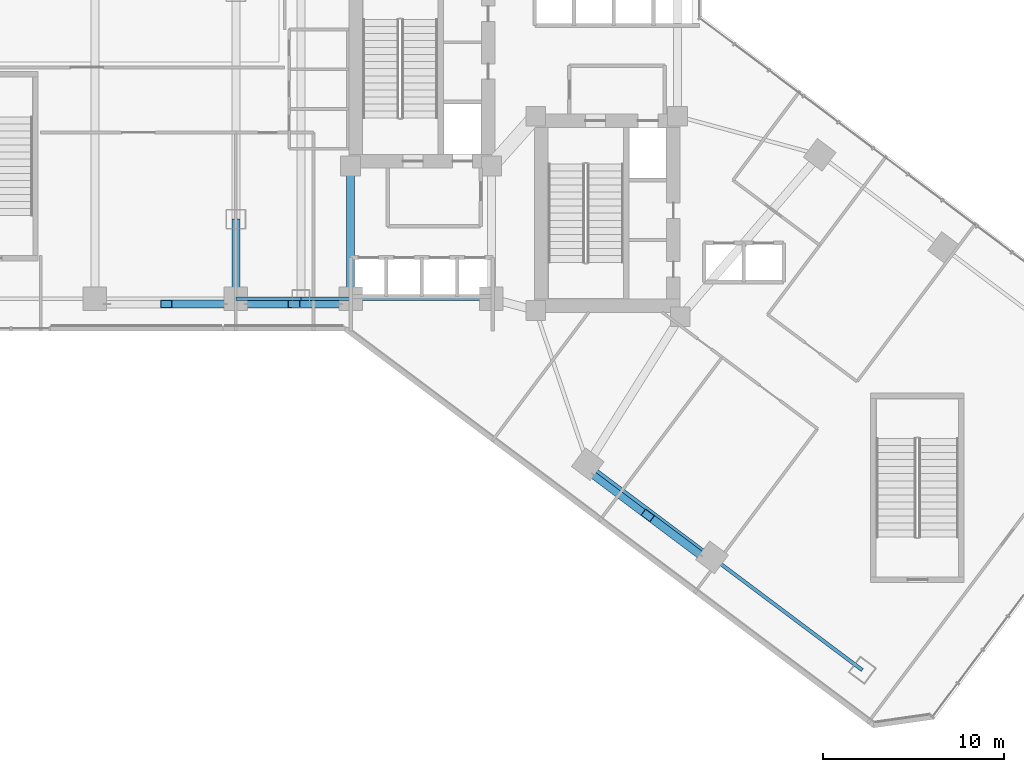
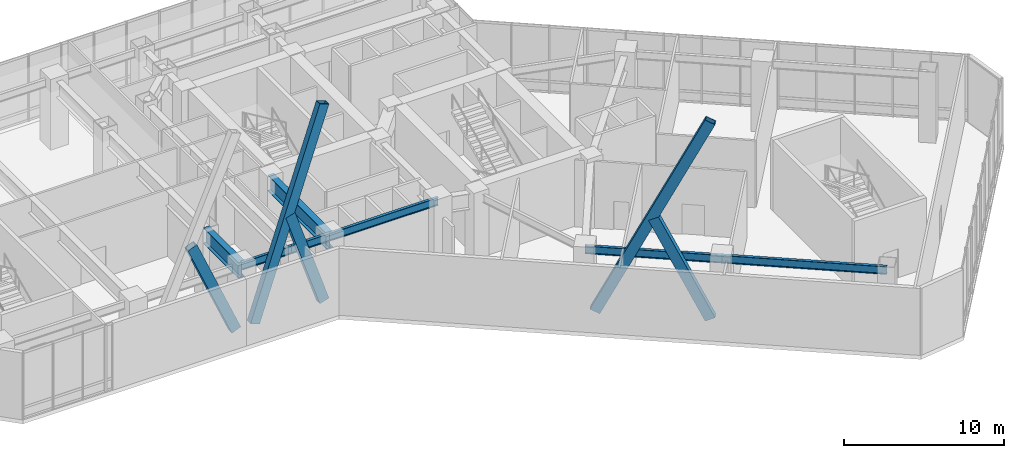
# One storey, part 4 of 35: 7 beams, 5 members.
"""IFC4 building model written with IfcOpenShell, lengths in metres."""

import ifcopenshell
import ifcopenshell.guid

model = None  # the IFC model being written
_history = None  # IfcOwnerHistory: only IFC2X3 demands one
_inside = {}  # id of a spatial element -> (the spatial element, [elements in it])
_under = {}  # id of a project, library or spatial element -> (it, [spatial elements below it])
_declared = {}  # id of a project -> (the project, [libraries it declares])
_typed = {}  # id of a type object -> (the type object, [elements of that type])
_made_of = {}  # id of a material, layer set ... -> (it, [elements and type objects made of it])


def new_model(schema):
    """Start an empty IFC model of exactly this schema.

    Asked for "IFC4X3", IfcOpenShell would pick the latest addendum, in which some entities
    have other attributes; the version numbers below select the first issue.
    IFC2X3 requires an IfcOwnerHistory on every rooted entity: one is made here for all.
    """
    global model, _history
    if schema == "IFC4X3":
        model = ifcopenshell.file(schema_version=(4, 3, 0, 0))
    else:
        model = ifcopenshell.file(schema=schema)
    _inside.clear()
    _under.clear()
    _declared.clear()
    _typed.clear()
    _made_of.clear()
    _history = None
    if model.schema == "IFC2X3":
        org = make("IfcOrganization", Name="unknown")
        user = make(
            "IfcPersonAndOrganization",
            ThePerson=make("IfcPerson", FamilyName="unknown"),
            TheOrganization=org,
        )
        app = make(
            "IfcApplication",
            ApplicationDeveloper=org,
            Version="unknown",
            ApplicationFullName="unknown",
            ApplicationIdentifier="unknown",
        )
        _history = make(
            "IfcOwnerHistory",
            OwningUser=user,
            OwningApplication=app,
            ChangeAction="ADDED",
            CreationDate=0,
        )
    return model


def make(cls, **values):
    """One entity of the class cls with the attributes given. An attribute that is None is left unset."""
    return model.create_entity(
        cls, **{name: value for name, value in values.items() if value is not None}
    )


def rooted(cls, **values):
    """An entity with a GlobalId (a new one), such as an element, a storey or a relation."""
    return make(cls, GlobalId=ifcopenshell.guid.new(), OwnerHistory=_history, **values)


def si_unit(unit_type, name, prefix=None):
    """IfcSIUnit, for example si_unit("LENGTHUNIT", "METRE", prefix="MILLI")."""
    return make("IfcSIUnit", UnitType=unit_type, Prefix=prefix, Name=name)


def assignment(units):
    """IfcUnitAssignment: the units of a project."""
    return None if units is None else make("IfcUnitAssignment", Units=units)


def point(xyz):
    """IfcCartesianPoint."""
    return None if xyz is None else make("IfcCartesianPoint", Coordinates=xyz)


def direction(xyz):
    """IfcDirection."""
    return None if xyz is None else make("IfcDirection", DirectionRatios=xyz)


def frame(location, z_axis=None, x_axis=None):
    """IfcAxis2Placement3D, a coordinate frame: its origin and axes. An axis left out is left unset."""
    return make(
        "IfcAxis2Placement3D",
        Location=point(location),
        Axis=direction(z_axis),
        RefDirection=direction(x_axis),
    )


def frame_2d(location, x_axis=None):
    """IfcAxis2Placement2D, a coordinate frame in the plane: its origin and x axis."""
    return make(
        "IfcAxis2Placement2D", Location=point(location), RefDirection=direction(x_axis)
    )


def origin():
    """The frame at (0, 0, 0) with its axes left unset."""
    return frame((0.0, 0.0, 0.0))


def origin_2d():
    """The frame at (0, 0) in the plane with its x axis left unset."""
    return frame_2d((0.0, 0.0))


def place(relative_to, where):
    """IfcLocalPlacement: puts the frame where relative to a parent placement (None: the world)."""
    return make(
        "IfcLocalPlacement", PlacementRelTo=relative_to, RelativePlacement=where
    )


def context(
    kind, dimensions, precision=None, world=None, true_north=None, identifier=None
):
    """IfcGeometricRepresentationContext, for example the 3D "Model" context."""
    return make(
        "IfcGeometricRepresentationContext",
        ContextIdentifier=identifier,
        ContextType=kind,
        CoordinateSpaceDimension=dimensions,
        Precision=precision,
        WorldCoordinateSystem=world,
        TrueNorth=true_north,
    )


def subcontext(parent, identifier, kind, view, scale=None):
    """IfcGeometricRepresentationSubContext, for example "Body" below "Model"."""
    return make(
        "IfcGeometricRepresentationSubContext",
        ContextIdentifier=identifier,
        ContextType=kind,
        ParentContext=parent,
        TargetScale=scale,
        TargetView=view,
    )


def project(units=None, contexts=None):
    """IfcProject with its units and contexts."""
    return rooted(
        "IfcProject",
        Name="project",
        RepresentationContexts=contexts,
        UnitsInContext=assignment(units),
    )


def spatial(cls, under=None, at=None, **own):
    """A site, building, storey or space (cls), placed at a placement, below another one or the project."""
    s = rooted(cls, ObjectPlacement=at, **own)
    if under is not None:
        _under.setdefault(under.id(), (under, []))[1].append(s)
    return s


def profile(cls, at=None, kind="AREA", **sizes):
    """A parametric profile (cls). Its sizes go by their IFC names, for example OverallWidth=200.0."""
    return make(cls, ProfileType=kind, Position=at, **sizes)


def hollow_rectangle(**sizes):
    """IfcRectangleHollowProfileDef."""
    return profile("IfcRectangleHollowProfileDef", **sizes)


def i_section(**sizes):
    """IfcIShapeProfileDef."""
    return profile("IfcIShapeProfileDef", **sizes)


def extrude(swept, where, along, depth):
    """IfcExtrudedAreaSolid: the profile swept, set in the frame where, extruded along a direction by depth."""
    return make(
        "IfcExtrudedAreaSolid",
        SweptArea=swept,
        Position=where,
        ExtrudedDirection=direction(along),
        Depth=depth,
    )


def shape(context_of_items, identifier, shape_type, items):
    """IfcShapeRepresentation: the items that make up one representation, for example the "Body"."""
    return make(
        "IfcShapeRepresentation",
        ContextOfItems=context_of_items,
        RepresentationIdentifier=identifier,
        RepresentationType=shape_type,
        Items=items,
    )


def material(Name=None, Category=None):
    """IfcMaterial."""
    return make("IfcMaterial", Name=Name, Category=Category)


def material_profile(
    of_material, cross_section, Name=None, Category=None, Priority=None
):
    """IfcMaterialProfile: a cross section and its material."""
    return make(
        "IfcMaterialProfile",
        Name=Name,
        Material=of_material,
        Profile=cross_section,
        Priority=Priority,
        Category=Category,
    )


def profile_set(profiles, Name=None, composite=None):
    """IfcMaterialProfileSet."""
    return make(
        "IfcMaterialProfileSet",
        Name=Name,
        MaterialProfiles=profiles,
        CompositeProfile=composite,
    )


def made_of(thing, what):
    """Note that an element or type object is made of a material, layer set ...; save() writes the relation."""
    if what is not None:
        _made_of.setdefault(what.id(), (what, []))[1].append(thing)
    return thing


def type_object(cls, material=None, **own):
    """A type object (cls), such as IfcWallType, which elements share."""
    return made_of(rooted(cls, **own), material)


def element(
    cls,
    number,
    at=None,
    inside=None,
    cuts=None,
    type_object=None,
    material=None,
    context=None,
    identifier="Body",
    shape_type=None,
    held_by="IfcProductDefinitionShape",
    body=None,
    shapes=None,
    **own,
):
    """One element of the class cls, such as IfcWall. Its Tag is "e" and its number.

    at: its placement. inside: the storey or other place that contains it. cuts: it is an
    opening in that element (IfcRelVoidsElement). A single representation is given by context,
    identifier, shape_type and body (its items); several are given by shapes. held_by: the class
    of the entity that holds the representations. save() writes the other relations.
    """
    e = rooted(cls, Tag="e%d" % number, ObjectPlacement=at, **own)
    if body is not None:
        shapes = [shape(context, identifier, shape_type, body)]
    if shapes is not None:
        e.Representation = make(held_by, Representations=shapes)
    if inside is not None:
        _inside.setdefault(inside.id(), (inside, []))[1].append(e)
    if cuts is not None:
        rooted(
            "IfcRelVoidsElement", RelatingBuildingElement=cuts, RelatedOpeningElement=e
        )
    if type_object is not None:
        _typed.setdefault(type_object.id(), (type_object, []))[1].append(e)
    return made_of(e, material)


def aggregate(whole, parts):
    """IfcRelAggregates: a whole, such as a stair, and the parts it consists of."""
    return rooted("IfcRelAggregates", RelatingObject=whole, RelatedObjects=parts)


def save(model, path):
    """Write the relations noted so far, then the file.

    IfcRelAggregates (storeys below a building ...), IfcRelContainedInSpatialStructure (elements
    in a storey), IfcRelDefinesByType, IfcRelAssociatesMaterial and IfcRelDeclares: one each for
    every whole, place, type object, material and project.
    """
    for whole, parts in _under.values():
        aggregate(whole, parts)
    for where, things in _inside.values():
        rooted(
            "IfcRelContainedInSpatialStructure",
            RelatedElements=things,
            RelatingStructure=where,
        )
    for kind, things in _typed.values():
        rooted("IfcRelDefinesByType", RelatedObjects=things, RelatingType=kind)
    for what, things in _made_of.values():
        rooted("IfcRelAssociatesMaterial", RelatedObjects=things, RelatingMaterial=what)
    for by, libraries in _declared.values():
        rooted("IfcRelDeclares", RelatingContext=by, RelatedDefinitions=libraries)
    model.write(path)


model = new_model("IFC4")

# Units and contexts
model_context = context("Model", 3, precision=1e-05, world=origin(), true_north=direction((0.0, 1.0)))
body_context = subcontext(model_context, "Body", "Model", "MODEL_VIEW")
ifc_project = project(units=[si_unit("LENGTHUNIT", "METRE"), si_unit("AREAUNIT", "SQUARE_METRE"), si_unit("VOLUMEUNIT", "CUBIC_METRE"), si_unit("PLANEANGLEUNIT", "RADIAN"), si_unit("MASSUNIT", "GRAM", prefix="KILO")], contexts=[model_context])

# Site, building, storey
site_placement = place(None, origin())
site = spatial("IfcSite", under=ifc_project, at=site_placement, CompositionType="ELEMENT")
building_placement = place(site_placement, origin())
building = spatial("IfcBuilding", under=site, at=building_placement, Name="Hatsunagi Terrace Concourse", CompositionType="ELEMENT")
storey_placement = place(building_placement, frame((0.0, 0.0, 5.39990234375)))
storey = spatial("IfcBuildingStorey", under=building, at=storey_placement, Name="L02", CompositionType="ELEMENT", Elevation=5.39990234375)

# Beams
ifc_material_1 = material(Name="Steel SN490B", Category="steel")
ifc_material_profile_1 = material_profile(ifc_material_1, i_section(OverallWidth=0.199951171875, OverallDepth=0.60009765625, WebThickness=0.010986328125, FlangeThickness=0.01708984375, FilletRadius=0.01806640625, at=origin_2d()), Name="H-600x200x11x17")
ifc_profile_set_1 = profile_set([ifc_material_profile_1], Name="Steel SN490B")
beam_type_1 = type_object("IfcBeamType", Name="PerimeterSpandrel_H_600x200", PredefinedType="SPANDREL", material=ifc_profile_set_1)
beam_1_placement = place(storey_placement, frame((19.199951171875, 25.199951171875, 4.800048828125), z_axis=(1.0, 0.0, 0.0), x_axis=(0.0, 1.0, 0.0)))
element("IfcBeam", 1, at=beam_1_placement, inside=storey, type_object=beam_type_1, Name="Beam SP-01 BM-L02-WS-19", PredefinedType="SPANDREL", context=body_context, shape_type="SweptSolid", body=[
    extrude(i_section(OverallWidth=0.199951171875, OverallDepth=0.60009765625, WebThickness=0.010986328125, FlangeThickness=0.01708984375, FilletRadius=0.01806640625, at=origin_2d()), origin(), (0.0, 0.0, 1.0), 3.60009765625),
])
beam_2_placement = place(storey_placement, frame((22.800048828125, 25.199951171875, 4.800048828125), z_axis=(1.0, 0.0, 0.0), x_axis=(0.0, 1.0, 0.0)))
element("IfcBeam", 2, at=beam_2_placement, inside=storey, type_object=beam_type_1, Name="Beam SP-01 BM-L02-WS-22", PredefinedType="SPANDREL", context=body_context, shape_type="SweptSolid", body=[
    extrude(i_section(OverallWidth=0.199951171875, OverallDepth=0.60009765625, WebThickness=0.010986328125, FlangeThickness=0.01708984375, FilletRadius=0.01806640625, at=origin_2d()), origin(), (0.0, 0.0, 1.0), 2.75),
])
beam_3_placement = place(storey_placement, frame((25.550048828125, 25.199951171875, 4.800048828125), z_axis=(1.0, 0.0, 0.0), x_axis=(0.0, 1.0, 0.0)))
element("IfcBeam", 3, at=beam_3_placement, inside=storey, type_object=beam_type_1, Name="Beam SP-01 BM-L02-WS-25", PredefinedType="SPANDREL", context=body_context, shape_type="SweptSolid", body=[
    extrude(i_section(OverallWidth=0.199951171875, OverallDepth=0.60009765625, WebThickness=0.010986328125, FlangeThickness=0.01708984375, FilletRadius=0.01806640625, at=origin_2d()), origin(), (0.0, 0.0, 1.0), 7.800048828125),
])
beam_4_placement = place(storey_placement, frame((38.679931640625, 16.0400390625, 4.800048828125), z_axis=(0.799996593451, -0.600004542038, 0.0), x_axis=(0.600004542038, 0.799996593451, 0.0)))
element("IfcBeam", 4, at=beam_4_placement, inside=storey, type_object=beam_type_1, Name="Beam SP-01 BM-L02-SE-SW2", PredefinedType="SPANDREL", context=body_context, shape_type="SweptSolid", body=[
    extrude(i_section(OverallWidth=0.199951171875, OverallDepth=0.60009765625, WebThickness=0.010986328125, FlangeThickness=0.01708984375, FilletRadius=0.01806640625, at=origin_2d()), origin(), (0.0, 0.0, 1.0), 8.60009765625),
])
beam_5_placement = place(storey_placement, frame((45.56005859375, 10.8798828125, 4.800048828125), z_axis=(0.799994365871, -0.600007512099, 0.0), x_axis=(0.600007512099, 0.799994365871, 0.0)))
element("IfcBeam", 5, at=beam_5_placement, inside=storey, type_object=beam_type_1, Name="Beam SP-01 BM-L02-SE-SW3", PredefinedType="SPANDREL", context=body_context, shape_type="SweptSolid", body=[
    extrude(i_section(OverallWidth=0.199951171875, OverallDepth=0.60009765625, WebThickness=0.010986328125, FlangeThickness=0.01708984375, FilletRadius=0.01806640625, at=origin_2d()), origin(), (0.0, 0.0, 1.0), 10.39990234375),
])

# Members
ifc_material_2 = material(Name="Steel SN490B", Category="steel")
ifc_material_profile_2 = material_profile(ifc_material_2, hollow_rectangle(XDim=0.449951171875, YDim=0.699951171875, WallThickness=0.028076171875, at=origin_2d()), Name="RHS-700x450x28")
ifc_profile_set_2 = profile_set([ifc_material_profile_2], Name="Steel SN490B")
member_type = type_object("IfcMemberType", Name="PerimeterXBrace_Lower_RHS_700x450x28", PredefinedType="BRACE", material=ifc_profile_set_2)
member_1_placement = place(storey_placement, frame((19.875, 24.89990234375, 0.440185546875), z_axis=(0.315848352572, 0.0, 0.948809684909), x_axis=(0.0, 1.0, 0.0)))
element("IfcMember", 6, at=member_1_placement, inside=storey, type_object=member_type, Name="Perimeter X-Brace XB-01 XB-L02-W1A", PredefinedType="BRACE", context=body_context, shape_type="SweptSolid", body=[
    extrude(hollow_rectangle(XDim=0.449951171875, YDim=0.699951171875, WallThickness=0.028076171875, at=origin_2d()), origin(), (0.0, 0.0, 1.0), 15.830322265625),
])
member_2_placement = place(storey_placement, frame((22.4189453125, 24.89990234375, 7.817138671875), z_axis=(0.315888620852, 0.0, -0.948796279091), x_axis=(0.0, 1.0, 0.0)))
element("IfcMember", 7, at=member_2_placement, inside=storey, type_object=member_type, Name="Perimeter X-Brace Split Lower XB-01 XB-L02-W1B2", PredefinedType="BRACE", context=body_context, shape_type="SweptSolid", body=[
    extrude(hollow_rectangle(XDim=0.449951171875, YDim=0.699951171875, WallThickness=0.028076171875, at=origin_2d()), origin(), (0.0, 0.0, 1.0), 7.775146484375),
])
member_3_placement = place(storey_placement, frame((15.35498046875, 24.89990234375, 7.821044921875), z_axis=(0.394623463455, 0.0, -0.91884292569), x_axis=(0.0, 1.0, 0.0)))
element("IfcMember", 8, at=member_3_placement, inside=storey, type_object=member_type, Name="Perimeter X-Brace Split Lower XB-01 XB-L02-W2B2", PredefinedType="BRACE", context=body_context, shape_type="SweptSolid", body=[
    extrude(hollow_rectangle(XDim=0.449951171875, YDim=0.699951171875, WallThickness=0.028076171875, at=origin_2d()), origin(), (0.0, 0.0, 1.0), 8.03271484375),
])
member_4_placement = place(storey_placement, frame((39.052001953125, 15.410888671875, 0.440185546875), z_axis=(0.347762013462, -0.260810531374, 0.900577286366), x_axis=(0.599983835976, 0.800012122763, 0.0)))
element("IfcMember", 9, at=member_4_placement, inside=storey, type_object=member_type, Name="Perimeter X-Brace XB-01 XB-L02-SEA", PredefinedType="BRACE", context=body_context, shape_type="SweptSolid", body=[
    extrude(hollow_rectangle(XDim=0.449951171875, YDim=0.699951171875, WallThickness=0.028076171875, at=origin_2d()), origin(), (0.0, 0.0, 1.0), 16.67822265625),
])
member_5_placement = place(storey_placement, frame((42.0009765625, 13.198974609375, 7.82421875), z_axis=(0.347735019102, -0.260756598927, -0.900603327002), x_axis=(0.599934229232, 0.800049323852, 0.0)))
element("IfcMember", 10, at=member_5_placement, inside=storey, type_object=member_type, Name="Perimeter X-Brace Split Lower XB-01 XB-L02-SEB2", PredefinedType="BRACE", context=body_context, shape_type="SweptSolid", body=[
    extrude(hollow_rectangle(XDim=0.449951171875, YDim=0.699951171875, WallThickness=0.028076171875, at=origin_2d()), origin(), (0.0, 0.0, 1.0), 8.198974609375),
])

# Beams
ifc_material_3 = material(Name="Steel SN490B", Category="steel")
ifc_material_profile_3 = material_profile(ifc_material_3, i_section(OverallWidth=0.449951171875, OverallDepth=1.199951171875, WebThickness=0.02490234375, FlangeThickness=0.035888671875, at=origin_2d()), Name="BH-1200x450x25x36")
ifc_profile_set_3 = profile_set([ifc_material_profile_3], Name="Steel SN490B")
beam_type_2 = type_object("IfcBeamType", Name="PodiumHallGirder_BH_1200x450x25x36", PredefinedType="BEAM", material=ifc_profile_set_3)
beam_6_placement = place(storey_placement, frame((25.550048828125, 25.199951171875, 4.5), z_axis=(0.0, 1.0, 0.0), x_axis=(-1.0, 0.0, 0.0)))
element("IfcBeam", 11, at=beam_6_placement, inside=storey, type_object=beam_type_2, Name="Beam G-01 BM-L02-K1CA", PredefinedType="BEAM", context=body_context, shape_type="SweptSolid", body=[
    extrude(i_section(OverallWidth=0.449951171875, OverallDepth=1.199951171875, WebThickness=0.02490234375, FlangeThickness=0.035888671875, at=origin_2d()), origin(), (0.0, 0.0, 1.0), 7.35009765625),
])
beam_7_placement = place(storey_placement, frame((19.199951171875, 25.199951171875, 4.5), z_axis=(0.0, 1.0, 0.0), x_axis=(-1.0, 0.0, 0.0)))
element("IfcBeam", 12, at=beam_7_placement, inside=storey, type_object=beam_type_2, Name="Beam G-01 BM-L02-NS-19-25", PredefinedType="BEAM", context=body_context, shape_type="SweptSolid", body=[
    extrude(i_section(OverallWidth=0.449951171875, OverallDepth=1.199951171875, WebThickness=0.02490234375, FlangeThickness=0.035888671875, at=origin_2d()), origin(), (0.0, 0.0, 1.0), 4.400146484375),
])

save(model, "model.ifc")
